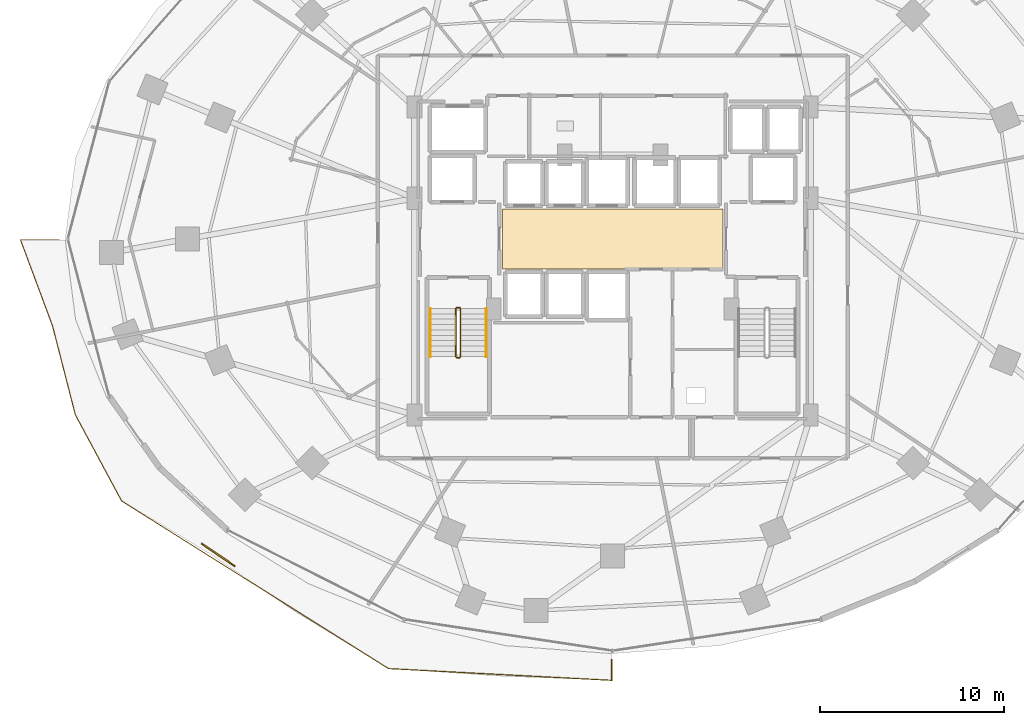
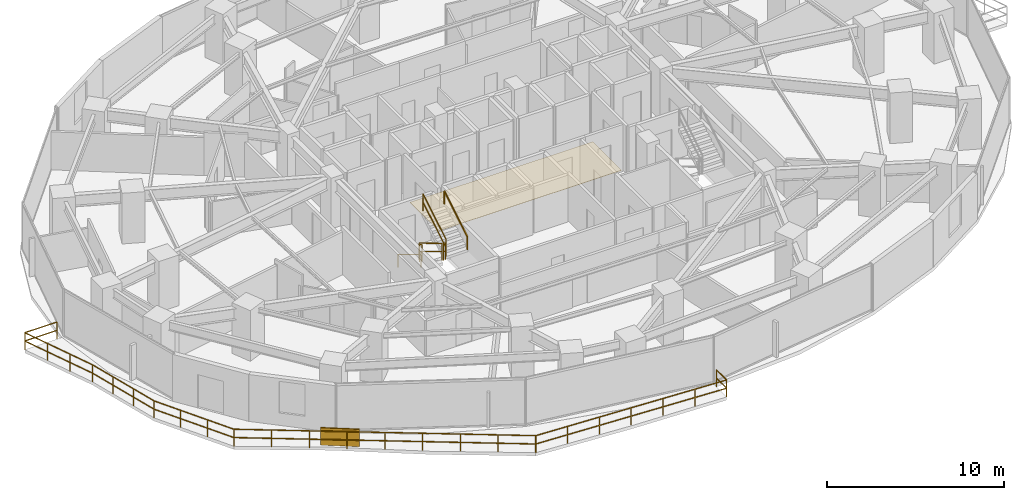
# One storey, part 31 of 33: 8 railings, 1 covering, 1 shading device.
"""IFC4 building model written with IfcOpenShell, lengths in metres."""

from ifc_helpers import new_model, si_unit, direction, frame, origin, origin_2d, place, context, subcontext, project, spatial, polyline, rectangle, outline, extrude, material, layer, layer_set, type_object, element, save


model = new_model("IFC4")

# Units and contexts
model_context = context("Model", 3, precision=1e-05, world=origin(), true_north=direction((0.0, 1.0)))
body_context = subcontext(model_context, "Body", "Model", "MODEL_VIEW")
ifc_project = project(units=[si_unit("LENGTHUNIT", "METRE"), si_unit("AREAUNIT", "SQUARE_METRE"), si_unit("VOLUMEUNIT", "CUBIC_METRE"), si_unit("PLANEANGLEUNIT", "RADIAN"), si_unit("MASSUNIT", "GRAM", prefix="KILO")], contexts=[model_context])

# Site, building, storey
site_placement = place(None, origin())
site = spatial("IfcSite", under=ifc_project, at=site_placement, CompositionType="ELEMENT")
building_placement = place(site_placement, origin())
building = spatial("IfcBuilding", under=site, at=building_placement, Name="Vorneva Point Tower", CompositionType="ELEMENT")
storey_placement = place(building_placement, frame((0.0, 0.0, 38.0)))
storey = spatial("IfcBuildingStorey", under=building, at=storey_placement, Name="L09", CompositionType="ELEMENT", Elevation=38.0)

# Covering
ifc_material_1 = material(Name="Acoustic wool hospitality carpet", Category="textile")
ifc_layer = layer(ifc_material_1, 0.01806640625)
ifc_layer_set = layer_set([ifc_layer], Name="Acoustic wool hospitality carpet")
covering_type = type_object("IfcCoveringType", Name="COV-FLR-CRP", PredefinedType="FLOORING", material=ifc_layer_set)
covering_placement = place(storey_placement, frame((0.0, 0.0, -0.0048828125)))
element("IfcCovering", 1, at=covering_placement, inside=storey, type_object=covering_type, Name="L09 Lift Lobby Floor Finish", PredefinedType="FLOORING", context=body_context, shape_type="SweptSolid", body=[
    extrude(outline(polyline([(32.02001953125, 24.3701171875), (43.97998046875, 24.3701171875), (43.97998046875, 27.6298828125), (32.02001953125, 27.6298828125), (32.02001953125, 24.3701171875)])), origin(), (0.0, 0.0, 1.0), 0.02294921875),
])

# Railings
ifc_material_2 = material(Name="Pale anodised aluminium", Category="aluminium")
railing_type_1 = type_object("IfcRailingType", Name="RL-BAL-1200", PredefinedType="BALUSTRADE", material=ifc_material_2)
railing_1_placement = place(storey_placement, frame((37.949951171875, 2.046875, 0.0)))
element("IfcRailing", 2, at=railing_1_placement, inside=storey, type_object=railing_type_1, Name="L09 Wave Balcony Balustrade SW.1", PredefinedType="BALUSTRADE", context=body_context, shape_type="SweptSolid", body=[
    extrude(rectangle(XDim=0.048095703125, YDim=0.048095703125, at=origin_2d()), frame((0.0, 0.0, 1.17578125), z_axis=(0.0, 1.0, 0.0), x_axis=(-1.0, 0.0, 0.0)), (0.0, 0.0, 1.0), 1.135986328125),
    extrude(rectangle(XDim=0.048095703125, YDim=0.048095703125, at=origin_2d()), frame((0.0, 0.0, 0.60009765625), z_axis=(0.0, 1.0, 0.0), x_axis=(-1.0, 0.0, 0.0)), (0.0, 0.0, 1.0), 1.135986328125),
    extrude(rectangle(XDim=0.0419921875, YDim=0.0419921875, at=origin_2d()), origin(), (0.0, 0.0, 1.0), 1.15185546875),
    extrude(rectangle(XDim=0.0419921875, YDim=0.0419921875, at=origin_2d()), frame((0.0, 1.135986328125, 0.0)), (0.0, 0.0, 1.0), 1.15185546875),
])
railing_2_placement = place(storey_placement, frame((7.98388671875, 25.949951171875, 0.0)))
element("IfcRailing", 3, at=railing_2_placement, inside=storey, type_object=railing_type_1, Name="L09 Wave Balcony Balustrade SW.2", PredefinedType="BALUSTRADE", context=body_context, shape_type="SweptSolid", body=[
    extrude(rectangle(XDim=0.048095703125, YDim=0.048095703125, at=origin_2d()), frame((0.0, 0.0, 1.17578125), z_axis=(-1.0, 0.0, 0.0), x_axis=(0.0, -1.0, 0.0)), (0.0, 0.0, 1.0), 2.1103515625),
    extrude(rectangle(XDim=0.048095703125, YDim=0.048095703125, at=origin_2d()), frame((0.0, 0.0, 0.60009765625), z_axis=(-1.0, 0.0, 0.0), x_axis=(0.0, -1.0, 0.0)), (0.0, 0.0, 1.0), 2.1103515625),
    extrude(rectangle(XDim=0.048095703125, YDim=0.048095703125, at=origin_2d()), frame((-2.1103515625, 0.0, 1.17578125), z_axis=(0.348512507877, -0.93730412986, 0.0), x_axis=(0.93730412986, 0.348512507877, 0.0)), (0.0, 0.0, 1.0), 4.98291015625),
    extrude(rectangle(XDim=0.048095703125, YDim=0.048095703125, at=origin_2d()), frame((-2.1103515625, 0.0, 0.60009765625), z_axis=(0.348512507877, -0.93730412986, 0.0), x_axis=(0.93730412986, 0.348512507877, 0.0)), (0.0, 0.0, 1.0), 4.98291015625),
    extrude(rectangle(XDim=0.048095703125, YDim=0.048095703125, at=origin_2d()), frame((-0.373779296875, -4.67041015625, 1.17578125), z_axis=(0.248837480299, -0.968545253666, 0.0), x_axis=(0.968545253666, 0.248837480299, 0.0)), (0.0, 0.0, 1.0), 4.982177734375),
    extrude(rectangle(XDim=0.048095703125, YDim=0.048095703125, at=origin_2d()), frame((-0.373779296875, -4.67041015625, 0.60009765625), z_axis=(0.248837480299, -0.968545253666, 0.0), x_axis=(0.968545253666, 0.248837480299, 0.0)), (0.0, 0.0, 1.0), 4.982177734375),
    extrude(rectangle(XDim=0.048095703125, YDim=0.048095703125, at=origin_2d()), frame((0.865966796875, -9.495849609375, 1.17578125), z_axis=(0.472973767155, -0.881076509495, 0.0), x_axis=(0.881076509495, 0.472973767155, 0.0)), (0.0, 0.0, 1.0), 5.302734375),
    extrude(rectangle(XDim=0.048095703125, YDim=0.048095703125, at=origin_2d()), frame((0.865966796875, -9.495849609375, 0.60009765625), z_axis=(0.472973767155, -0.881076509495, 0.0), x_axis=(0.881076509495, 0.472973767155, 0.0)), (0.0, 0.0, 1.0), 5.302734375),
    extrude(rectangle(XDim=0.048095703125, YDim=0.048095703125, at=origin_2d()), frame((3.3740234375, -14.16796875, 1.17578125), z_axis=(0.846791603268, -0.531924788513, 0.0), x_axis=(0.531924788513, 0.846791603268, 0.0)), (0.0, 0.0, 1.0), 17.103271484375),
    extrude(rectangle(XDim=0.048095703125, YDim=0.048095703125, at=origin_2d()), frame((3.3740234375, -14.16796875, 0.60009765625), z_axis=(0.846791603268, -0.531924788513, 0.0), x_axis=(0.531924788513, 0.846791603268, 0.0)), (0.0, 0.0, 1.0), 17.103271484375),
    extrude(rectangle(XDim=0.048095703125, YDim=0.048095703125, at=origin_2d()), frame((17.85693359375, -23.265625, 1.17578125), z_axis=(0.998617273094, -0.052569400594, 0.0), x_axis=(0.052569400594, 0.998617273094, 0.0)), (0.0, 0.0, 1.0), 12.1259765625),
    extrude(rectangle(XDim=0.048095703125, YDim=0.048095703125, at=origin_2d()), frame((17.85693359375, -23.265625, 0.60009765625), z_axis=(0.998617273094, -0.052569400594, 0.0), x_axis=(0.052569400594, 0.998617273094, 0.0)), (0.0, 0.0, 1.0), 12.1259765625),
    extrude(rectangle(XDim=0.0419921875, YDim=0.0419921875, at=origin_2d()), origin(), (0.0, 0.0, 1.0), 1.15185546875),
    extrude(rectangle(XDim=0.0419921875, YDim=0.0419921875, at=origin_2d()), frame((-2.1103515625, 0.0, 0.0)), (0.0, 0.0, 1.0), 1.15185546875),
    extrude(rectangle(XDim=0.0419921875, YDim=0.0419921875, at=origin_2d()), frame((-1.531494140625, -1.556884765625, 0.0)), (0.0, 0.0, 1.0), 1.15185546875),
    extrude(rectangle(XDim=0.0419921875, YDim=0.0419921875, at=origin_2d()), frame((-0.95263671875, -3.113525390625, 0.0)), (0.0, 0.0, 1.0), 1.15185546875),
    extrude(rectangle(XDim=0.0419921875, YDim=0.0419921875, at=origin_2d()), frame((-0.373779296875, -4.67041015625, 0.0)), (0.0, 0.0, 1.0), 1.15185546875),
    extrude(rectangle(XDim=0.0419921875, YDim=0.0419921875, at=origin_2d()), frame((0.03955078125, -6.27880859375, 0.0)), (0.0, 0.0, 1.0), 1.15185546875),
    extrude(rectangle(XDim=0.0419921875, YDim=0.0419921875, at=origin_2d()), frame((0.45263671875, -7.887451171875, 0.0)), (0.0, 0.0, 1.0), 1.15185546875),
    extrude(rectangle(XDim=0.0419921875, YDim=0.0419921875, at=origin_2d()), frame((0.865966796875, -9.495849609375, 0.0)), (0.0, 0.0, 1.0), 1.15185546875),
    extrude(rectangle(XDim=0.0419921875, YDim=0.0419921875, at=origin_2d()), frame((1.701904296875, -11.05322265625, 0.0)), (0.0, 0.0, 1.0), 1.15185546875),
    extrude(rectangle(XDim=0.0419921875, YDim=0.0419921875, at=origin_2d()), frame((2.5380859375, -12.610595703125, 0.0)), (0.0, 0.0, 1.0), 1.15185546875),
    extrude(rectangle(XDim=0.0419921875, YDim=0.0419921875, at=origin_2d()), frame((3.3740234375, -14.16796875, 0.0)), (0.0, 0.0, 1.0), 1.15185546875),
    extrude(rectangle(XDim=0.0419921875, YDim=0.0419921875, at=origin_2d()), frame((5.184326171875, -15.30517578125, 0.0)), (0.0, 0.0, 1.0), 1.15185546875),
    extrude(rectangle(XDim=0.0419921875, YDim=0.0419921875, at=origin_2d()), frame((6.99462890625, -16.4423828125, 0.0)), (0.0, 0.0, 1.0), 1.15185546875),
    extrude(rectangle(XDim=0.0419921875, YDim=0.0419921875, at=origin_2d()), frame((8.80517578125, -17.57958984375, 0.0)), (0.0, 0.0, 1.0), 1.15185546875),
    extrude(rectangle(XDim=0.0419921875, YDim=0.0419921875, at=origin_2d()), frame((10.615478515625, -18.716796875, 0.0)), (0.0, 0.0, 1.0), 1.15185546875),
    extrude(rectangle(XDim=0.0419921875, YDim=0.0419921875, at=origin_2d()), frame((12.42578125, -19.85400390625, 0.0)), (0.0, 0.0, 1.0), 1.15185546875),
    extrude(rectangle(XDim=0.0419921875, YDim=0.0419921875, at=origin_2d()), frame((14.236328125, -20.9912109375, 0.0)), (0.0, 0.0, 1.0), 1.15185546875),
    extrude(rectangle(XDim=0.0419921875, YDim=0.0419921875, at=origin_2d()), frame((16.046630859375, -22.12841796875, 0.0)), (0.0, 0.0, 1.0), 1.15185546875),
    extrude(rectangle(XDim=0.0419921875, YDim=0.0419921875, at=origin_2d()), frame((17.85693359375, -23.265625, 0.0)), (0.0, 0.0, 1.0), 1.15185546875),
    extrude(rectangle(XDim=0.0419921875, YDim=0.0419921875, at=origin_2d()), frame((19.875, -23.371826171875, 0.0)), (0.0, 0.0, 1.0), 1.15185546875),
    extrude(rectangle(XDim=0.0419921875, YDim=0.0419921875, at=origin_2d()), frame((21.893310546875, -23.47802734375, 0.0)), (0.0, 0.0, 1.0), 1.15185546875),
    extrude(rectangle(XDim=0.0419921875, YDim=0.0419921875, at=origin_2d()), frame((23.91162109375, -23.58447265625, 0.0)), (0.0, 0.0, 1.0), 1.15185546875),
    extrude(rectangle(XDim=0.0419921875, YDim=0.0419921875, at=origin_2d()), frame((25.9296875, -23.690673828125, 0.0)), (0.0, 0.0, 1.0), 1.15185546875),
    extrude(rectangle(XDim=0.0419921875, YDim=0.0419921875, at=origin_2d()), frame((27.94775390625, -23.796875, 0.0)), (0.0, 0.0, 1.0), 1.15185546875),
    extrude(rectangle(XDim=0.0419921875, YDim=0.0419921875, at=origin_2d()), frame((29.966064453125, -23.903076171875, 0.0)), (0.0, 0.0, 1.0), 1.15185546875),
])
ifc_material_3 = material(Name="Brushed stainless steel S304", Category="steel")
railing_type_2 = type_object("IfcRailingType", Name="RL-HND-920", PredefinedType="HANDRAIL", material=ifc_material_3)
railing_3_placement = place(storey_placement, frame((28.10009765625, 22.219970703125, 0.175048828125)))
element("IfcRailing", 4, at=railing_3_placement, inside=storey, type_object=railing_type_2, Name="L09 ST1 stair handrail 1", PredefinedType="HANDRAIL", context=body_context, shape_type="SweptSolid", body=[
    extrude(rectangle(XDim=0.048095703125, YDim=0.048095703125, at=origin_2d()), frame((0.0, 0.0, 0.8759765625), z_axis=(0.0, -0.85618277418, 0.516673066065), x_axis=(1.0, 0.0, 0.0)), (0.0, 0.0, 1.0), 3.04833984375),
    extrude(rectangle(XDim=0.0419921875, YDim=0.0419921875, at=origin_2d()), origin(), (0.0, 0.0, 1.0), 0.851806640625),
    extrude(rectangle(XDim=0.0419921875, YDim=0.0419921875, at=origin_2d()), frame((0.0, -2.60986328125, 1.574951171875)), (0.0, 0.0, 1.0), 0.851806640625),
])
railing_4_placement = place(storey_placement, frame((31.14990234375, 19.610107421875, 1.925048828125)))
element("IfcRailing", 5, at=railing_4_placement, inside=storey, type_object=railing_type_2, Name="L09 ST1 stair handrail 2", PredefinedType="HANDRAIL", context=body_context, shape_type="SweptSolid", body=[
    extrude(rectangle(XDim=0.048095703125, YDim=0.048095703125, at=origin_2d()), frame((0.0, 0.0, 0.8759765625), z_axis=(0.0, 0.85618277418, 0.516673066065), x_axis=(-1.0, 0.0, 0.0)), (0.0, 0.0, 1.0), 3.04833984375),
    extrude(rectangle(XDim=0.0419921875, YDim=0.0419921875, at=origin_2d()), origin(), (0.0, 0.0, 1.0), 0.851806640625),
    extrude(rectangle(XDim=0.0419921875, YDim=0.0419921875, at=origin_2d()), frame((0.0, 2.60986328125, 1.574951171875)), (0.0, 0.0, 1.0), 0.851806640625),
])
railing_type_3 = type_object("IfcRailingType", Name="RL-STG-1100", PredefinedType="GUARDRAIL", material=ifc_material_3)
railing_5_placement = place(storey_placement, frame((29.5, 22.219970703125, 0.175048828125)))
element("IfcRailing", 6, at=railing_5_placement, inside=storey, type_object=railing_type_3, Name="L09 ST1 stair guard 1", PredefinedType="GUARDRAIL", context=body_context, shape_type="SweptSolid", body=[
    extrude(rectangle(XDim=0.048095703125, YDim=0.048095703125, at=origin_2d()), frame((0.0, 0.0, 1.17578125), z_axis=(0.0, -0.85618277418, 0.516673066065), x_axis=(1.0, 0.0, 0.0)), (0.0, 0.0, 1.0), 3.04833984375),
    extrude(rectangle(XDim=0.048095703125, YDim=0.048095703125, at=origin_2d()), frame((0.0, 0.0, 0.60009765625), z_axis=(0.0, -0.85618277418, 0.516673066065), x_axis=(1.0, 0.0, 0.0)), (0.0, 0.0, 1.0), 3.04833984375),
    extrude(rectangle(XDim=0.0419921875, YDim=0.0419921875, at=origin_2d()), origin(), (0.0, 0.0, 1.0), 1.15185546875),
    extrude(rectangle(XDim=0.0419921875, YDim=0.0419921875, at=origin_2d()), frame((0.0, -2.60986328125, 1.574951171875)), (0.0, 0.0, 1.0), 1.15185546875),
])
railing_6_placement = place(storey_placement, frame((29.550048828125, 19.56005859375, 1.75)))
element("IfcRailing", 7, at=railing_6_placement, inside=storey, type_object=railing_type_3, Name="L09 ST1 stair guard 2", PredefinedType="GUARDRAIL", context=body_context, shape_type="SweptSolid", body=[
    extrude(rectangle(XDim=0.048095703125, YDim=0.048095703125, at=origin_2d()), frame((0.0, 0.0, 1.17578125), z_axis=(1.0, 0.0, 0.0), x_axis=(0.0, 1.0, 0.0)), (0.0, 0.0, 1.0), 0.14990234375),
    extrude(rectangle(XDim=0.048095703125, YDim=0.048095703125, at=origin_2d()), frame((0.0, 0.0, 0.60009765625), z_axis=(1.0, 0.0, 0.0), x_axis=(0.0, 1.0, 0.0)), (0.0, 0.0, 1.0), 0.14990234375),
    extrude(rectangle(XDim=0.0419921875, YDim=0.0419921875, at=origin_2d()), origin(), (0.0, 0.0, 1.0), 1.15185546875),
    extrude(rectangle(XDim=0.0419921875, YDim=0.0419921875, at=origin_2d()), frame((0.14990234375, 0.0, 0.0)), (0.0, 0.0, 1.0), 1.15185546875),
])
railing_7_placement = place(storey_placement, frame((29.75, 19.610107421875, 1.925048828125)))
element("IfcRailing", 8, at=railing_7_placement, inside=storey, type_object=railing_type_3, Name="L09 ST1 stair guard 3", PredefinedType="GUARDRAIL", context=body_context, shape_type="SweptSolid", body=[
    extrude(rectangle(XDim=0.048095703125, YDim=0.048095703125, at=origin_2d()), frame((0.0, 0.0, 1.17578125), z_axis=(0.0, 0.85618277418, 0.516673066065), x_axis=(-1.0, 0.0, 0.0)), (0.0, 0.0, 1.0), 3.04833984375),
    extrude(rectangle(XDim=0.048095703125, YDim=0.048095703125, at=origin_2d()), frame((0.0, 0.0, 0.60009765625), z_axis=(0.0, 0.85618277418, 0.516673066065), x_axis=(-1.0, 0.0, 0.0)), (0.0, 0.0, 1.0), 3.04833984375),
    extrude(rectangle(XDim=0.0419921875, YDim=0.0419921875, at=origin_2d()), origin(), (0.0, 0.0, 1.0), 1.15185546875),
    extrude(rectangle(XDim=0.0419921875, YDim=0.0419921875, at=origin_2d()), frame((0.0, 2.60986328125, 1.574951171875)), (0.0, 0.0, 1.0), 1.15185546875),
])
railing_8_placement = place(storey_placement, frame((29.550048828125, 22.27001953125, 0.0)))
element("IfcRailing", 9, at=railing_8_placement, inside=storey, type_object=railing_type_3, Name="L09 ST1 stair guard 4", PredefinedType="GUARDRAIL", context=body_context, shape_type="SweptSolid", body=[
    extrude(rectangle(XDim=0.048095703125, YDim=0.048095703125, at=origin_2d()), frame((0.0, 0.0, 1.17578125), z_axis=(1.0, 0.0, 0.0), x_axis=(0.0, 1.0, 0.0)), (0.0, 0.0, 1.0), 0.14990234375),
    extrude(rectangle(XDim=0.048095703125, YDim=0.048095703125, at=origin_2d()), frame((0.0, 0.0, 0.60009765625), z_axis=(1.0, 0.0, 0.0), x_axis=(0.0, 1.0, 0.0)), (0.0, 0.0, 1.0), 0.14990234375),
    extrude(rectangle(XDim=0.0419921875, YDim=0.0419921875, at=origin_2d()), origin(), (0.0, 0.0, 1.0), 1.15185546875),
    extrude(rectangle(XDim=0.0419921875, YDim=0.0419921875, at=origin_2d()), frame((0.14990234375, 0.0, 0.0)), (0.0, 0.0, 1.0), 1.15185546875),
])

# Shading device
shading_device_type = type_object("IfcShadingDeviceType", Name="SHD-JAL-1200", PredefinedType="JALOUSIE", material=ifc_material_2)
shading_device_placement = place(storey_placement, frame((16.604736328125, 8.855224609375, -0.02001953125), z_axis=(0.0, 0.0, 1.0), x_axis=(0.827100194182, -0.562054506951, 0.0)))
element("IfcShadingDevice", 10, at=shading_device_placement, inside=storey, type_object=shading_device_type, Name="L09 Balcony Vertical-Greenery Planter Screen SW.2", PredefinedType="JALOUSIE", context=body_context, shape_type="SweptSolid", body=[
    extrude(rectangle(XDim=2.199951171875, YDim=0.080078125, at=origin_2d()), origin(), (0.0, 0.0, 1.0), 1.199951171875),
])

save(model, "model.ifc")
